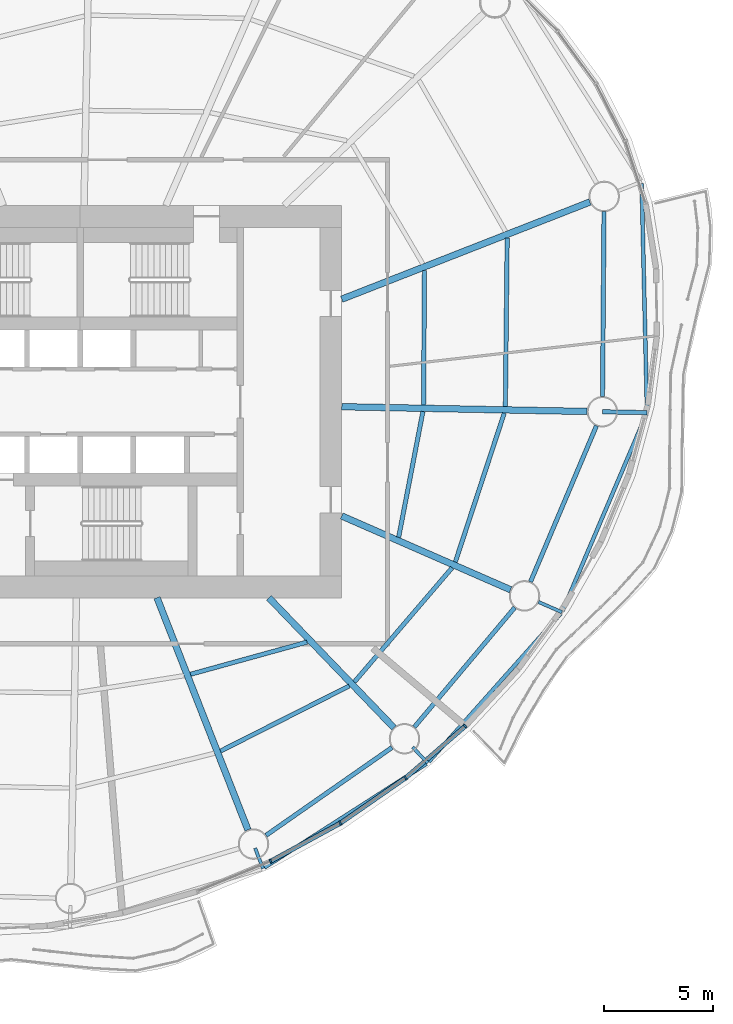
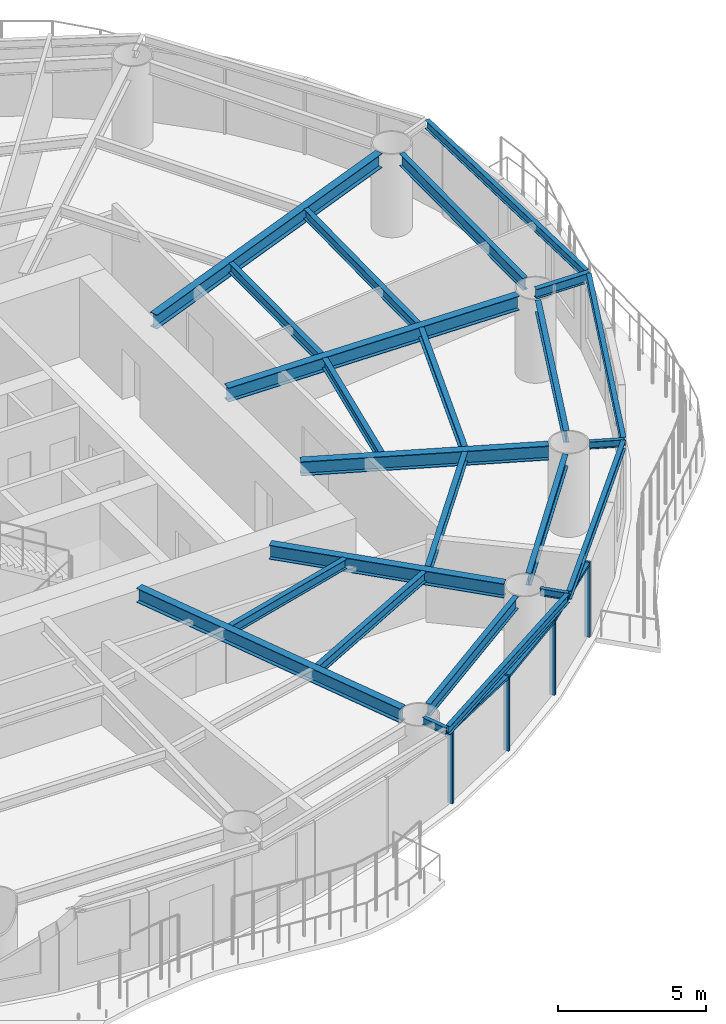
# One storey, part 4 of 15: 24 beams, 7 members, 3 elements without a shape of their own.
"""IFC4 building model written with IfcOpenShell, lengths in metres."""

import ifcopenshell
import ifcopenshell.guid

model = None  # the IFC model being written
_history = None  # IfcOwnerHistory: only IFC2X3 demands one
_inside = {}  # id of a spatial element -> (the spatial element, [elements in it])
_under = {}  # id of a project, library or spatial element -> (it, [spatial elements below it])
_declared = {}  # id of a project -> (the project, [libraries it declares])
_typed = {}  # id of a type object -> (the type object, [elements of that type])
_made_of = {}  # id of a material, layer set ... -> (it, [elements and type objects made of it])


def new_model(schema):
    """Start an empty IFC model of exactly this schema.

    Asked for "IFC4X3", IfcOpenShell would pick the latest addendum, in which some entities
    have other attributes; the version numbers below select the first issue.
    IFC2X3 requires an IfcOwnerHistory on every rooted entity: one is made here for all.
    """
    global model, _history
    if schema == "IFC4X3":
        model = ifcopenshell.file(schema_version=(4, 3, 0, 0))
    else:
        model = ifcopenshell.file(schema=schema)
    _inside.clear()
    _under.clear()
    _declared.clear()
    _typed.clear()
    _made_of.clear()
    _history = None
    if model.schema == "IFC2X3":
        org = make("IfcOrganization", Name="unknown")
        user = make(
            "IfcPersonAndOrganization",
            ThePerson=make("IfcPerson", FamilyName="unknown"),
            TheOrganization=org,
        )
        app = make(
            "IfcApplication",
            ApplicationDeveloper=org,
            Version="unknown",
            ApplicationFullName="unknown",
            ApplicationIdentifier="unknown",
        )
        _history = make(
            "IfcOwnerHistory",
            OwningUser=user,
            OwningApplication=app,
            ChangeAction="ADDED",
            CreationDate=0,
        )
    return model


def make(cls, **values):
    """One entity of the class cls with the attributes given. An attribute that is None is left unset."""
    return model.create_entity(
        cls, **{name: value for name, value in values.items() if value is not None}
    )


def rooted(cls, **values):
    """An entity with a GlobalId (a new one), such as an element, a storey or a relation."""
    return make(cls, GlobalId=ifcopenshell.guid.new(), OwnerHistory=_history, **values)


def si_unit(unit_type, name, prefix=None):
    """IfcSIUnit, for example si_unit("LENGTHUNIT", "METRE", prefix="MILLI")."""
    return make("IfcSIUnit", UnitType=unit_type, Prefix=prefix, Name=name)


def assignment(units):
    """IfcUnitAssignment: the units of a project."""
    return None if units is None else make("IfcUnitAssignment", Units=units)


def point(xyz):
    """IfcCartesianPoint."""
    return None if xyz is None else make("IfcCartesianPoint", Coordinates=xyz)


def direction(xyz):
    """IfcDirection."""
    return None if xyz is None else make("IfcDirection", DirectionRatios=xyz)


def frame(location, z_axis=None, x_axis=None):
    """IfcAxis2Placement3D, a coordinate frame: its origin and axes. An axis left out is left unset."""
    return make(
        "IfcAxis2Placement3D",
        Location=point(location),
        Axis=direction(z_axis),
        RefDirection=direction(x_axis),
    )


def frame_2d(location, x_axis=None):
    """IfcAxis2Placement2D, a coordinate frame in the plane: its origin and x axis."""
    return make(
        "IfcAxis2Placement2D", Location=point(location), RefDirection=direction(x_axis)
    )


def origin():
    """The frame at (0, 0, 0) with its axes left unset."""
    return frame((0.0, 0.0, 0.0))


def origin_2d():
    """The frame at (0, 0) in the plane with its x axis left unset."""
    return frame_2d((0.0, 0.0))


def place(relative_to, where):
    """IfcLocalPlacement: puts the frame where relative to a parent placement (None: the world)."""
    return make(
        "IfcLocalPlacement", PlacementRelTo=relative_to, RelativePlacement=where
    )


def context(
    kind, dimensions, precision=None, world=None, true_north=None, identifier=None
):
    """IfcGeometricRepresentationContext, for example the 3D "Model" context."""
    return make(
        "IfcGeometricRepresentationContext",
        ContextIdentifier=identifier,
        ContextType=kind,
        CoordinateSpaceDimension=dimensions,
        Precision=precision,
        WorldCoordinateSystem=world,
        TrueNorth=true_north,
    )


def subcontext(parent, identifier, kind, view, scale=None):
    """IfcGeometricRepresentationSubContext, for example "Body" below "Model"."""
    return make(
        "IfcGeometricRepresentationSubContext",
        ContextIdentifier=identifier,
        ContextType=kind,
        ParentContext=parent,
        TargetScale=scale,
        TargetView=view,
    )


def project(units=None, contexts=None):
    """IfcProject with its units and contexts."""
    return rooted(
        "IfcProject",
        Name="project",
        RepresentationContexts=contexts,
        UnitsInContext=assignment(units),
    )


def spatial(cls, under=None, at=None, **own):
    """A site, building, storey or space (cls), placed at a placement, below another one or the project."""
    s = rooted(cls, ObjectPlacement=at, **own)
    if under is not None:
        _under.setdefault(under.id(), (under, []))[1].append(s)
    return s


def profile(cls, at=None, kind="AREA", **sizes):
    """A parametric profile (cls). Its sizes go by their IFC names, for example OverallWidth=200.0."""
    return make(cls, ProfileType=kind, Position=at, **sizes)


def rectangle(**sizes):
    """IfcRectangleProfileDef."""
    return profile("IfcRectangleProfileDef", **sizes)


def i_section(**sizes):
    """IfcIShapeProfileDef."""
    return profile("IfcIShapeProfileDef", **sizes)


def extrude(swept, where, along, depth):
    """IfcExtrudedAreaSolid: the profile swept, set in the frame where, extruded along a direction by depth."""
    return make(
        "IfcExtrudedAreaSolid",
        SweptArea=swept,
        Position=where,
        ExtrudedDirection=direction(along),
        Depth=depth,
    )


def shape(context_of_items, identifier, shape_type, items):
    """IfcShapeRepresentation: the items that make up one representation, for example the "Body"."""
    return make(
        "IfcShapeRepresentation",
        ContextOfItems=context_of_items,
        RepresentationIdentifier=identifier,
        RepresentationType=shape_type,
        Items=items,
    )


def material(Name=None, Category=None):
    """IfcMaterial."""
    return make("IfcMaterial", Name=Name, Category=Category)


def material_profile(
    of_material, cross_section, Name=None, Category=None, Priority=None
):
    """IfcMaterialProfile: a cross section and its material."""
    return make(
        "IfcMaterialProfile",
        Name=Name,
        Material=of_material,
        Profile=cross_section,
        Priority=Priority,
        Category=Category,
    )


def profile_set(profiles, Name=None, composite=None):
    """IfcMaterialProfileSet."""
    return make(
        "IfcMaterialProfileSet",
        Name=Name,
        MaterialProfiles=profiles,
        CompositeProfile=composite,
    )


def made_of(thing, what):
    """Note that an element or type object is made of a material, layer set ...; save() writes the relation."""
    if what is not None:
        _made_of.setdefault(what.id(), (what, []))[1].append(thing)
    return thing


def type_object(cls, material=None, **own):
    """A type object (cls), such as IfcWallType, which elements share."""
    return made_of(rooted(cls, **own), material)


def element(
    cls,
    number,
    at=None,
    inside=None,
    cuts=None,
    type_object=None,
    material=None,
    context=None,
    identifier="Body",
    shape_type=None,
    held_by="IfcProductDefinitionShape",
    body=None,
    shapes=None,
    **own,
):
    """One element of the class cls, such as IfcWall. Its Tag is "e" and its number.

    at: its placement. inside: the storey or other place that contains it. cuts: it is an
    opening in that element (IfcRelVoidsElement). A single representation is given by context,
    identifier, shape_type and body (its items); several are given by shapes. held_by: the class
    of the entity that holds the representations. save() writes the other relations.
    """
    e = rooted(cls, Tag="e%d" % number, ObjectPlacement=at, **own)
    if body is not None:
        shapes = [shape(context, identifier, shape_type, body)]
    if shapes is not None:
        e.Representation = make(held_by, Representations=shapes)
    if inside is not None:
        _inside.setdefault(inside.id(), (inside, []))[1].append(e)
    if cuts is not None:
        rooted(
            "IfcRelVoidsElement", RelatingBuildingElement=cuts, RelatedOpeningElement=e
        )
    if type_object is not None:
        _typed.setdefault(type_object.id(), (type_object, []))[1].append(e)
    return made_of(e, material)


def aggregate(whole, parts):
    """IfcRelAggregates: a whole, such as a stair, and the parts it consists of."""
    return rooted("IfcRelAggregates", RelatingObject=whole, RelatedObjects=parts)


def save(model, path):
    """Write the relations noted so far, then the file.

    IfcRelAggregates (storeys below a building ...), IfcRelContainedInSpatialStructure (elements
    in a storey), IfcRelDefinesByType, IfcRelAssociatesMaterial and IfcRelDeclares: one each for
    every whole, place, type object, material and project.
    """
    for whole, parts in _under.values():
        aggregate(whole, parts)
    for where, things in _inside.values():
        rooted(
            "IfcRelContainedInSpatialStructure",
            RelatedElements=things,
            RelatingStructure=where,
        )
    for kind, things in _typed.values():
        rooted("IfcRelDefinesByType", RelatedObjects=things, RelatingType=kind)
    for what, things in _made_of.values():
        rooted("IfcRelAssociatesMaterial", RelatedObjects=things, RelatingMaterial=what)
    for by, libraries in _declared.values():
        rooted("IfcRelDeclares", RelatingContext=by, RelatedDefinitions=libraries)
    model.write(path)


model = new_model("IFC4")

# Units and contexts
model_context = context("Model", 3, precision=1e-05, world=origin(), true_north=direction((0.0, 1.0)))
body_context = subcontext(model_context, "Body", "Model", "MODEL_VIEW")
ifc_project = project(units=[si_unit("LENGTHUNIT", "METRE"), si_unit("AREAUNIT", "SQUARE_METRE"), si_unit("VOLUMEUNIT", "CUBIC_METRE"), si_unit("PLANEANGLEUNIT", "RADIAN"), si_unit("MASSUNIT", "GRAM", prefix="KILO")], contexts=[model_context])

# Site, building, storey
site_placement = place(None, origin())
site = spatial("IfcSite", under=ifc_project, at=site_placement, CompositionType="ELEMENT")
building_placement = place(site_placement, origin())
building = spatial("IfcBuilding", under=site, at=building_placement, Name="Vermilion Reach Broadcast Tower", CompositionType="ELEMENT")
storey_placement = place(building_placement, frame((0.0, 0.0, 161.39990234375)))
storey = spatial("IfcBuildingStorey", under=building, at=storey_placement, Name="L38", CompositionType="ELEMENT", Elevation=161.39990234375)

# Beams
ifc_material_1 = material(Name="Steel S355J2", Category="steel")
ifc_material_profile_1 = material_profile(ifc_material_1, i_section(OverallWidth=0.175048828125, OverallDepth=0.35009765625, WebThickness=0.007080078125, FlangeThickness=0.010986328125, at=origin_2d()), Name="S355J2 HN 350x175x7x11")
ifc_profile_set_1 = profile_set([ifc_material_profile_1], Name="Steel S355J2")
beam_type_1 = type_object("IfcBeamType", Name="EB3 HN 350x175x7x11", PredefinedType="BEAM", material=ifc_profile_set_1)
beam_1_placement = place(storey_placement, frame((2.453857421875, -21.376953125, 3.275146484375), z_axis=(0.842077348818, 0.539356782295, 0.0), x_axis=(-0.539356782295, 0.842077348818, 0.0)))
element("IfcBeam", 1, at=beam_1_placement, inside=storey, type_object=beam_type_1, Name="Edge beam EB3-12", PredefinedType="BEAM", context=body_context, shape_type="SweptSolid", body=[
    extrude(i_section(OverallWidth=0.175048828125, OverallDepth=0.35009765625, WebThickness=0.007080078125, FlangeThickness=0.010986328125, at=origin_2d()), origin(), (0.0, 0.0, 1.0), 8.822265625),
])
beam_2_placement = place(storey_placement, frame((9.997314453125, -16.521240234375, 3.275146484375), z_axis=(0.664977714117, 0.746863200143, 0.0), x_axis=(-0.746863200143, 0.664977714117, 0.0)))
element("IfcBeam", 2, at=beam_2_placement, inside=storey, type_object=beam_type_1, Name="Edge beam EB3-13", PredefinedType="BEAM", context=body_context, shape_type="SweptSolid", body=[
    extrude(i_section(OverallWidth=0.175048828125, OverallDepth=0.35009765625, WebThickness=0.007080078125, FlangeThickness=0.010986328125, at=origin_2d()), origin(), (0.0, 0.0, 1.0), 9.10546875),
])
beam_3_placement = place(storey_placement, frame((16.134033203125, -9.5927734375, 3.275146484375), z_axis=(0.392064127314, 0.919937889248, 0.0), x_axis=(-0.919937889248, 0.392064127314, 0.0)))
element("IfcBeam", 3, at=beam_3_placement, inside=storey, type_object=beam_type_1, Name="Edge beam EB3-14", PredefinedType="BEAM", context=body_context, shape_type="SweptSolid", body=[
    extrude(i_section(OverallWidth=0.175048828125, OverallDepth=0.35009765625, WebThickness=0.007080078125, FlangeThickness=0.010986328125, at=origin_2d()), origin(), (0.0, 0.0, 1.0), 9.772216796875),
])
beam_4_placement = place(storey_placement, frame((20.005126953125, -0.40380859375, 3.275146484375), z_axis=(-0.023272406797, 0.999729160864, 0.0), x_axis=(-0.999729160864, -0.023272406797, 0.0)))
element("IfcBeam", 4, at=beam_4_placement, inside=storey, type_object=beam_type_1, Name="Edge beam EB3-15", PredefinedType="BEAM", context=body_context, shape_type="SweptSolid", body=[
    extrude(i_section(OverallWidth=0.175048828125, OverallDepth=0.35009765625, WebThickness=0.007080078125, FlangeThickness=0.010986328125, at=origin_2d()), origin(), (0.0, 0.0, 1.0), 10.417236328125),
])
ifc_material_2 = material(Name="Steel S355J2", Category="steel")
ifc_material_profile_2 = material_profile(ifc_material_2, i_section(OverallWidth=0.300048828125, OverallDepth=0.587890625, WebThickness=0.011962890625, FlangeThickness=0.02001953125, at=origin_2d()), Name="S355J2 HM 588x300x12x20")
ifc_profile_set_2 = profile_set([ifc_material_profile_2], Name="Steel S355J2")
beam_type_2 = type_object("IfcBeamType", Name="G3 HM 588x300x12x20", PredefinedType="BEAM", material=ifc_profile_set_2)
beam_5_placement = place(storey_placement, frame((-2.474853515625, -9.0, 3.156005859375), z_axis=(0.364715649973, -0.931118947646, 0.0), x_axis=(0.931118947646, 0.364715649973, 0.0)))
element("IfcBeam", 5, at=beam_5_placement, inside=storey, type_object=beam_type_2, Name="Girder G3-12", PredefinedType="BEAM", context=body_context, shape_type="SweptSolid", body=[
    extrude(i_section(OverallWidth=0.300048828125, OverallDepth=0.587890625, WebThickness=0.011962890625, FlangeThickness=0.02001953125, at=origin_2d()), origin(), (0.0, 0.0, 1.0), 11.436767578125),
])
beam_6_placement = place(storey_placement, frame((2.657958984375, -9.0, 3.156005859375), z_axis=(0.693282657492, -0.72066577331, 0.0), x_axis=(0.72066577331, 0.693282657492, 0.0)))
element("IfcBeam", 6, at=beam_6_placement, inside=storey, type_object=beam_type_2, Name="Girder G3-13", PredefinedType="BEAM", context=body_context, shape_type="SweptSolid", body=[
    extrude(i_section(OverallWidth=0.300048828125, OverallDepth=0.587890625, WebThickness=0.011962890625, FlangeThickness=0.02001953125, at=origin_2d()), origin(), (0.0, 0.0, 1.0), 8.273681640625),
])
beam_7_placement = place(storey_placement, frame((6.0, -5.2451171875, 3.156005859375), z_axis=(0.916287847036, -0.400520388213, 0.0), x_axis=(0.400520388213, 0.916287847036, 0.0)))
element("IfcBeam", 7, at=beam_7_placement, inside=storey, type_object=beam_type_2, Name="Girder G3-14", PredefinedType="BEAM", context=body_context, shape_type="SweptSolid", body=[
    extrude(i_section(OverallWidth=0.300048828125, OverallDepth=0.587890625, WebThickness=0.011962890625, FlangeThickness=0.02001953125, at=origin_2d()), origin(), (0.0, 0.0, 1.0), 8.45458984375),
])
beam_8_placement = place(storey_placement, frame((6.0, -0.232421875, 3.156005859375), z_axis=(0.999812170888, -0.019380994401, 0.0), x_axis=(0.019380994401, 0.999812170888, 0.0)))
element("IfcBeam", 8, at=beam_8_placement, inside=storey, type_object=beam_type_2, Name="Girder G3-15", PredefinedType="BEAM", context=body_context, shape_type="SweptSolid", body=[
    extrude(i_section(OverallWidth=0.300048828125, OverallDepth=0.587890625, WebThickness=0.011962890625, FlangeThickness=0.02001953125, at=origin_2d()), origin(), (0.0, 0.0, 1.0), 11.26171875),
])
beam_9_placement = place(storey_placement, frame((6.0, 4.700439453125, 3.156005859375), z_axis=(0.931124635714, 0.364701128004, 0.0), x_axis=(-0.364701128004, 0.931124635714, 0.0)))
element("IfcBeam", 9, at=beam_9_placement, inside=storey, type_object=beam_type_2, Name="Girder G3-16", PredefinedType="BEAM", context=body_context, shape_type="SweptSolid", body=[
    extrude(i_section(OverallWidth=0.300048828125, OverallDepth=0.587890625, WebThickness=0.011962890625, FlangeThickness=0.02001953125, at=origin_2d()), origin(), (0.0, 0.0, 1.0), 12.231201171875),
])
ifc_material_3 = material(Name="Steel S355J2", Category="steel")
ifc_material_profile_3 = material_profile(ifc_material_3, i_section(OverallWidth=0.199951171875, OverallDepth=0.39990234375, WebThickness=0.008056640625, FlangeThickness=0.012939453125, at=origin_2d()), Name="S355J2 HN 400x200x8x13")
ifc_profile_set_3 = profile_set([ifc_material_profile_3], Name="Steel S355J2")
beam_type_3 = type_object("IfcBeamType", Name="GC3 HN 400x200x8x13", PredefinedType="BEAM", material=ifc_profile_set_3)
beam_10_placement = place(storey_placement, frame((17.95947265625, -0.464111328125, 3.25), z_axis=(0.999811286975, -0.019426539489, 0.0), x_axis=(0.019426539489, 0.999811286975, 0.0)))
element("IfcBeam", 10, at=beam_10_placement, inside=storey, type_object=beam_type_3, Name="Cantilever girder GC3-15", PredefinedType="BEAM", context=body_context, shape_type="SweptSolid", body=[
    extrude(i_section(OverallWidth=0.199951171875, OverallDepth=0.39990234375, WebThickness=0.008056640625, FlangeThickness=0.012939453125, at=origin_2d()), origin(), (0.0, 0.0, 1.0), 2.048583984375),
])
ifc_material_4 = material(Name="Steel S355J2", Category="steel")
ifc_material_profile_4 = material_profile(ifc_material_4, i_section(OverallWidth=0.14990234375, OverallDepth=0.300048828125, WebThickness=0.006591796875, FlangeThickness=0.009033203125, at=origin_2d()), Name="S355J2 HN 300x150x6.5x9")
ifc_profile_set_4 = profile_set([ifc_material_profile_4], Name="Steel S355J2")
beam_type_4 = type_object("IfcBeamType", Name="GS3 HN 300x150x6.5x9", PredefinedType="BEAM", material=ifc_profile_set_4)
for number, where, z_axis, x_axis, name in (
    (11, (2.024658203125, -20.487060546875, 3.300048828125), (0.364730702407, -0.931113051526, 0.0), (0.931113051526, 0.364730702407, 0.0), "Cantilever stub GS3-12"),
    (12, (9.25390625, -15.856689453125, 3.300048828125), (0.693303837595, -0.720645397388, 0.0), (0.720645397388, 0.693303837595, 0.0), "Cantilever stub GS3-13"),
):
    element("IfcBeam", number, at=place(storey_placement, frame(where, z_axis=z_axis, x_axis=x_axis)), inside=storey, type_object=beam_type_4, Name=name, PredefinedType="BEAM", context=body_context, shape_type="SweptSolid", body=[
        extrude(i_section(OverallWidth=0.14990234375, OverallDepth=0.300048828125, WebThickness=0.006591796875, FlangeThickness=0.009033203125, at=origin_2d()), origin(), (0.0, 0.0, 1.0), 1.0),
    ])
beam_11_placement = place(storey_placement, frame((15.02978515625, -9.19189453125, 3.300048828125), z_axis=(0.91622419933, -0.400665966313, 0.0), x_axis=(0.400665966313, 0.91622419933, 0.0)))
element("IfcBeam", 13, at=beam_11_placement, inside=storey, type_object=beam_type_4, Name="Cantilever stub GS3-14", PredefinedType="BEAM", context=body_context, shape_type="SweptSolid", body=[
    extrude(i_section(OverallWidth=0.14990234375, OverallDepth=0.300048828125, WebThickness=0.006591796875, FlangeThickness=0.009033203125, at=origin_2d()), origin(), (0.0, 0.0, 1.0), 1.173095703125),
])
ifc_material_5 = material(Name="Steel S355J2", Category="steel")
ifc_material_profile_5 = material_profile(ifc_material_5, i_section(OverallWidth=0.199951171875, OverallDepth=0.5, WebThickness=0.010009765625, FlangeThickness=0.01611328125, at=origin_2d()), Name="S355J2 HN 500x200x10x16")
ifc_profile_set_5 = profile_set([ifc_material_profile_5], Name="Steel S355J2")
beam_type_5 = type_object("IfcBeamType", Name="RB3 HN 500x200x10x16", PredefinedType="BEAM", material=ifc_profile_set_5)
beam_12_placement = place(storey_placement, frame((2.525634765625, -19.900146484375, 3.2001953125), z_axis=(0.820111453349, 0.572203813415, 0.0), x_axis=(-0.572203813415, 0.820111453349, 0.0)))
element("IfcBeam", 14, at=beam_12_placement, inside=storey, type_object=beam_type_5, Name="Ring beam RB3-12", PredefinedType="BEAM", context=body_context, shape_type="SweptSolid", body=[
    extrude(i_section(OverallWidth=0.199951171875, OverallDepth=0.5, WebThickness=0.010009765625, FlangeThickness=0.01611328125, at=origin_2d()), origin(), (0.0, 0.0, 1.0), 7.04736328125),
])
beam_13_placement = place(storey_placement, frame((9.32958984375, -14.931396484375, 3.2001953125), z_axis=(0.643350337931, 0.765571905626, 0.0), x_axis=(-0.765571905626, 0.643350337931, 0.0)))
element("IfcBeam", 15, at=beam_13_placement, inside=storey, type_object=beam_type_5, Name="Ring beam RB3-13", PredefinedType="BEAM", context=body_context, shape_type="SweptSolid", body=[
    extrude(i_section(OverallWidth=0.199951171875, OverallDepth=0.5, WebThickness=0.010009765625, FlangeThickness=0.01611328125, at=origin_2d()), origin(), (0.0, 0.0, 1.0), 7.1630859375),
])
beam_14_placement = place(storey_placement, frame((14.660888671875, -8.266845703125, 3.2001953125), z_axis=(0.389368386196, 0.921082113512, 0.0), x_axis=(-0.921082113512, 0.389368386196, 0.0)))
element("IfcBeam", 16, at=beam_14_placement, inside=storey, type_object=beam_type_5, Name="Ring beam RB3-14", PredefinedType="BEAM", context=body_context, shape_type="SweptSolid", body=[
    extrude(i_section(OverallWidth=0.199951171875, OverallDepth=0.5, WebThickness=0.010009765625, FlangeThickness=0.01611328125, at=origin_2d()), origin(), (0.0, 0.0, 1.0), 7.771240234375),
])
beam_15_placement = place(storey_placement, frame((17.965087890625, 0.23583984375, 3.2001953125), z_axis=(0.008204232036, 0.999966344722, 0.0), x_axis=(-0.999966344722, 0.008204232036, 0.0)))
element("IfcBeam", 17, at=beam_15_placement, inside=storey, type_object=beam_type_5, Name="Ring beam RB3-15", PredefinedType="BEAM", context=body_context, shape_type="SweptSolid", body=[
    extrude(i_section(OverallWidth=0.199951171875, OverallDepth=0.5, WebThickness=0.010009765625, FlangeThickness=0.01611328125, at=origin_2d()), origin(), (0.0, 0.0, 1.0), 8.48095703125),
])
ifc_material_6 = material(Name="Steel S355J2", Category="steel")
ifc_material_profile_6 = material_profile(ifc_material_6, i_section(OverallWidth=0.199951171875, OverallDepth=0.39990234375, WebThickness=0.008056640625, FlangeThickness=0.012939453125, at=origin_2d()), Name="S355J2 HN 400x200x8x13")
ifc_profile_set_6 = profile_set([ifc_material_profile_6], Name="Steel S355J2")
beam_type_6 = type_object("IfcBeamType", Name="SB3 HN 400x200x8x13", PredefinedType="BEAM", material=ifc_profile_set_6)
beam_16_placement = place(storey_placement, frame((-0.93896484375, -12.509521484375, 3.25), z_axis=(0.963889790258, 0.266301468708, 0.0), x_axis=(-0.266301468708, 0.963889790258, 0.0)))
element("IfcBeam", 18, at=beam_16_placement, inside=storey, type_object=beam_type_6, Name="Secondary beam SB3-12-1", PredefinedType="BEAM", context=body_context, shape_type="SweptSolid", body=[
    extrude(i_section(OverallWidth=0.199951171875, OverallDepth=0.39990234375, WebThickness=0.008056640625, FlangeThickness=0.012939453125, at=origin_2d()), origin(), (0.0, 0.0, 1.0), 5.544677734375),
])
beam_17_placement = place(storey_placement, frame((0.4404296875, -16.03125, 3.25), z_axis=(0.892320561657, 0.451402276516, 0.0), x_axis=(-0.451402276516, 0.892320561657, 0.0)))
element("IfcBeam", 19, at=beam_17_placement, inside=storey, type_object=beam_type_6, Name="Secondary beam SB3-12-2", PredefinedType="BEAM", context=body_context, shape_type="SweptSolid", body=[
    extrude(i_section(OverallWidth=0.199951171875, OverallDepth=0.39990234375, WebThickness=0.008056640625, FlangeThickness=0.012939453125, at=origin_2d()), origin(), (0.0, 0.0, 1.0), 6.613525390625),
])
beam_18_placement = place(storey_placement, frame((6.579833984375, -12.860595703125, 3.25), z_axis=(0.650167134505, 0.759791219487, 0.0), x_axis=(-0.759791219487, 0.650167134505, 0.0)))
element("IfcBeam", 20, at=beam_18_placement, inside=storey, type_object=beam_type_6, Name="Secondary beam SB3-13-2", PredefinedType="BEAM", context=body_context, shape_type="SweptSolid", body=[
    extrude(i_section(OverallWidth=0.199951171875, OverallDepth=0.39990234375, WebThickness=0.008056640625, FlangeThickness=0.012939453125, at=origin_2d()), origin(), (0.0, 0.0, 1.0), 6.89501953125),
])
beam_19_placement = place(storey_placement, frame((8.611328125, -6.222900390625, 3.25), z_axis=(0.189462365782, 0.981887983404, 0.0), x_axis=(-0.981887983404, 0.189462365782, 0.0)))
element("IfcBeam", 21, at=beam_19_placement, inside=storey, type_object=beam_type_6, Name="Secondary beam SB3-14-1", PredefinedType="BEAM", context=body_context, shape_type="SweptSolid", body=[
    extrude(i_section(OverallWidth=0.199951171875, OverallDepth=0.39990234375, WebThickness=0.008056640625, FlangeThickness=0.012939453125, at=origin_2d()), origin(), (0.0, 0.0, 1.0), 5.874755859375),
])
beam_20_placement = place(storey_placement, frame((11.211669921875, -7.359375, 3.25), z_axis=(0.312243016281, 0.950002262515, 0.0), x_axis=(-0.950002262515, 0.312243016281, 0.0)))
element("IfcBeam", 22, at=beam_20_placement, inside=storey, type_object=beam_type_6, Name="Secondary beam SB3-14-2", PredefinedType="BEAM", context=body_context, shape_type="SweptSolid", body=[
    extrude(i_section(OverallWidth=0.199951171875, OverallDepth=0.39990234375, WebThickness=0.008056640625, FlangeThickness=0.012939453125, at=origin_2d()), origin(), (0.0, 0.0, 1.0), 7.19189453125),
])
beam_21_placement = place(storey_placement, frame((9.754150390625, -0.1552734375, 3.25), z_axis=(0.006635449147, 0.999977985165, 0.0), x_axis=(-0.999977985165, 0.006635449147, 0.0)))
element("IfcBeam", 23, at=beam_21_placement, inside=storey, type_object=beam_type_6, Name="Secondary beam SB3-15-1", PredefinedType="BEAM", context=body_context, shape_type="SweptSolid", body=[
    extrude(i_section(OverallWidth=0.199951171875, OverallDepth=0.39990234375, WebThickness=0.008056640625, FlangeThickness=0.012939453125, at=origin_2d()), origin(), (0.0, 0.0, 1.0), 6.181396484375),
])
beam_22_placement = place(storey_placement, frame((13.508056640625, -0.22802734375, 3.25), z_axis=(0.010691708672, 0.999942842049, 0.0), x_axis=(-0.999942842049, 0.010691708672, 0.0)))
element("IfcBeam", 24, at=beam_22_placement, inside=storey, type_object=beam_type_6, Name="Secondary beam SB3-15-2", PredefinedType="BEAM", context=body_context, shape_type="SweptSolid", body=[
    extrude(i_section(OverallWidth=0.199951171875, OverallDepth=0.39990234375, WebThickness=0.008056640625, FlangeThickness=0.012939453125, at=origin_2d()), origin(), (0.0, 0.0, 1.0), 7.740966796875),
])

# Curtain wall, member
ifc_material_7 = material(Name="Low-e laminated clear glass in aluminium frame", Category="aluminium")
curtain_wall_type = type_object("IfcCurtainWallType", Name="Slot curtain wall", PredefinedType="NOTDEFINED", material=ifc_material_7)
placement = place(storey_placement, origin())
curtain_wall_1 = element("IfcCurtainWall", 25, at=placement, inside=storey, type_object=curtain_wall_type, Name="Slot curtain wall L38 35", PredefinedType="NOTDEFINED")
ifc_material_8 = material(Name="Anodised aluminium", Category="aluminium")
ifc_material_profile_7 = material_profile(ifc_material_8, rectangle(XDim=0.199951171875, YDim=0.080078125, at=origin_2d()), Name="Slot mullion 80 x 200")
ifc_profile_set_7 = profile_set([ifc_material_profile_7], Name="Anodised aluminium")
member_type_1 = type_object("IfcMemberType", Name="Slot mullion 80 x 200", PredefinedType="MULLION", material=ifc_profile_set_7)
member_1_placement = place(storey_placement, frame((2.73974609375, -21.0849609375, 0.0), z_axis=(0.0, 0.0, 1.0), x_axis=(-0.430732639051, 0.902479580742, 0.0)))
member_1 = element("IfcMember", 26, at=member_1_placement, type_object=member_type_1, Name="Slot mullion L38 35", PredefinedType="MULLION", context=body_context, shape_type="SweptSolid", body=[
    extrude(rectangle(XDim=0.199951171875, YDim=0.080078125, at=origin_2d()), origin(), (0.0, 0.0, 1.0), 3.10009765625),
])

curtain_wall_2 = element("IfcCurtainWall", 27, at=placement, inside=storey, type_object=curtain_wall_type, Name="Slot curtain wall L38 36", PredefinedType="NOTDEFINED")
member_2_placement = place(storey_placement, frame((5.936279296875, -19.341796875, 0.0), z_axis=(0.0, 0.0, 1.0), x_axis=(-0.525174693961, 0.850994442298, 0.0)))
member_2 = element("IfcMember", 28, at=member_2_placement, type_object=member_type_1, Name="Slot mullion L38 36", PredefinedType="MULLION", context=body_context, shape_type="SweptSolid", body=[
    extrude(rectangle(XDim=0.199951171875, YDim=0.080078125, at=origin_2d()), origin(), (0.0, 0.0, 1.0), 3.10009765625),
])

# Curtain wall, members
curtain_wall_3 = element("IfcCurtainWall", 29, at=placement, inside=storey, type_object=curtain_wall_type, Name="Slot curtain wall L38 37", PredefinedType="NOTDEFINED")
member_3_placement = place(storey_placement, frame((8.927978515625, -17.26611328125, 0.0), z_axis=(0.0, 0.0, 1.0), x_axis=(-0.613540359418, 0.789663363317, 0.0)))
member_3 = element("IfcMember", 30, at=member_3_placement, type_object=member_type_1, Name="Slot mullion L38 37", PredefinedType="MULLION", context=body_context, shape_type="SweptSolid", body=[
    extrude(rectangle(XDim=0.199951171875, YDim=0.080078125, at=origin_2d()), origin(), (0.0, 0.0, 1.0), 3.10009765625),
])
member_4_placement = place(storey_placement, frame((11.662841796875, -14.893798828125, 0.0), z_axis=(0.0, 0.0, 1.0), x_axis=(-0.695674547947, 0.718357100152, 0.0)))
member_4 = element("IfcMember", 31, at=member_4_placement, type_object=member_type_1, Name="Slot mullion L38 38", PredefinedType="MULLION", context=body_context, shape_type="SweptSolid", body=[
    extrude(rectangle(XDim=0.199951171875, YDim=0.080078125, at=origin_2d()), origin(), (0.0, 0.0, 1.0), 3.10009765625),
])

# Member
ifc_material_9 = material(Name="Anodised aluminium", Category="aluminium")
ifc_material_profile_8 = material_profile(ifc_material_9, rectangle(XDim=0.199951171875, YDim=0.10009765625, at=origin_2d()), Name="Slot transom 200 x 100")
ifc_profile_set_8 = profile_set([ifc_material_profile_8], Name="Anodised aluminium")
member_type_2 = type_object("IfcMemberType", Name="Slot transom 200 x 100", PredefinedType="USERDEFINED", material=ifc_profile_set_8)
member_5_placement = place(storey_placement, frame((2.774658203125, -21.06591796875, 3.050048828125), z_axis=(0.8779427253, 0.478765674514, 0.0), x_axis=(-0.478765674514, 0.8779427253, 0.0)))
member_5 = element("IfcMember", 32, at=member_5_placement, type_object=member_type_2, Name="Slot transom L38 35.1", ObjectType="TRANSOM", PredefinedType="USERDEFINED", context=body_context, shape_type="SweptSolid", body=[
    extrude(rectangle(XDim=0.199951171875, YDim=0.10009765625, at=origin_2d()), origin(), (0.0, 0.0, 1.0), 3.5615234375),
])

aggregate(curtain_wall_1, [member_1, member_5])

member_6_placement = place(storey_placement, frame((5.96923828125, -19.31884765625, 3.050048828125), z_axis=(0.821601875112, 0.570061714916, 0.0), x_axis=(-0.570061714916, 0.821601875112, 0.0)))
member_6 = element("IfcMember", 33, at=member_6_placement, type_object=member_type_2, Name="Slot transom L38 36.1", ObjectType="TRANSOM", PredefinedType="USERDEFINED", context=body_context, shape_type="SweptSolid", body=[
    extrude(rectangle(XDim=0.199951171875, YDim=0.10009765625, at=origin_2d()), origin(), (0.0, 0.0, 1.0), 3.56103515625),
])

aggregate(curtain_wall_2, [member_2, member_6])

member_7_placement = place(storey_placement, frame((8.958251953125, -17.23974609375, 3.050048828125), z_axis=(0.75543189727, 0.655227173267, 0.0), x_axis=(-0.655227173267, 0.75543189727, 0.0)))
member_7 = element("IfcMember", 34, at=member_7_placement, type_object=member_type_2, Name="Slot transom L38 37.1", ObjectType="TRANSOM", PredefinedType="USERDEFINED", context=body_context, shape_type="SweptSolid", body=[
    extrude(rectangle(XDim=0.199951171875, YDim=0.10009765625, at=origin_2d()), origin(), (0.0, 0.0, 1.0), 3.5400390625),
])

aggregate(curtain_wall_3, [member_3, member_4, member_7])

save(model, "model.ifc")
